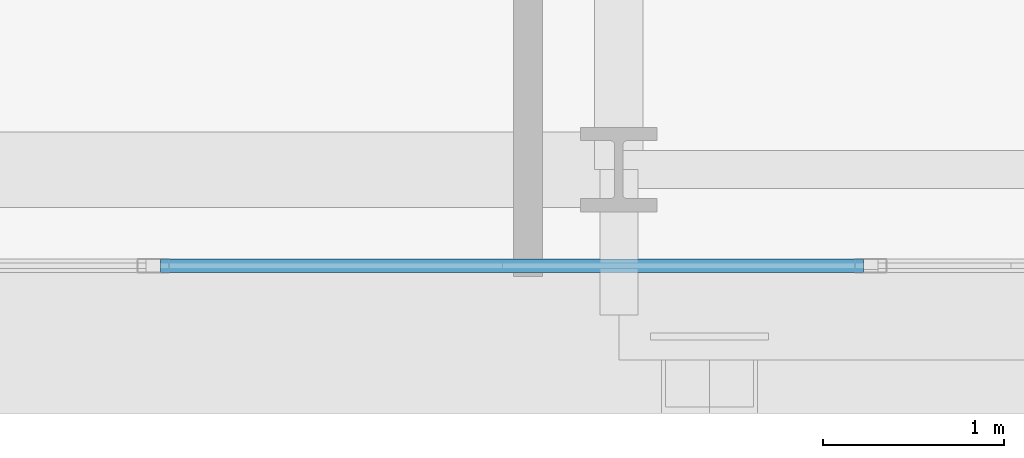
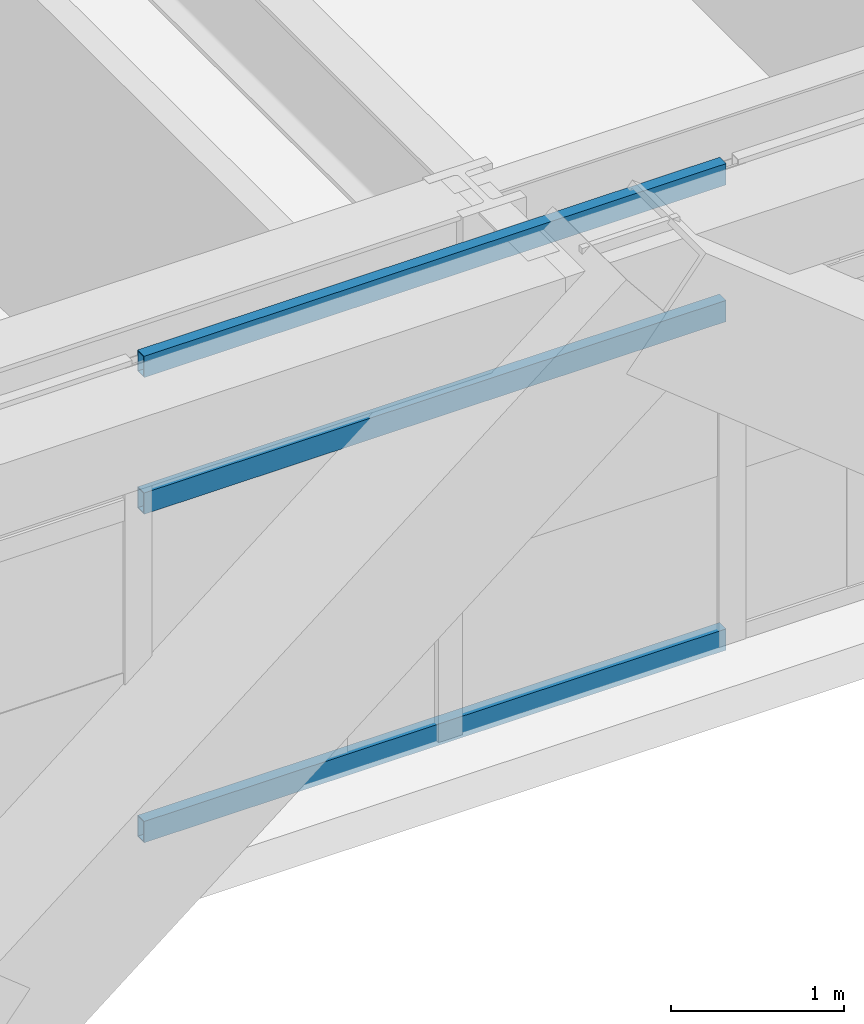
# One storey, part 6 of 41: 3 members, 1 element without a shape of its own.
"""IFC4 building model written with IfcOpenShell, lengths in metres."""

from ifc_helpers import new_model, si_unit, direction, frame, origin, origin_2d, place, context, subcontext, project, spatial, hollow_rectangle, extrude, source, transform, mapped, material, layer, layer_set, material_profile, profile_set, type_object, element, aggregate, save


model = new_model("IFC4")

# Units and contexts
model_context = context("Model", 3, precision=1e-05, world=origin(), true_north=direction((0.0, 1.0)))
body_context = subcontext(model_context, "Body", "Model", "MODEL_VIEW")
ifc_project = project(units=[si_unit("LENGTHUNIT", "METRE"), si_unit("AREAUNIT", "SQUARE_METRE"), si_unit("VOLUMEUNIT", "CUBIC_METRE"), si_unit("PLANEANGLEUNIT", "RADIAN"), si_unit("MASSUNIT", "GRAM", prefix="KILO")], contexts=[model_context])

# Site, building, storey
site_placement = place(None, origin())
site = spatial("IfcSite", under=ifc_project, at=site_placement, CompositionType="ELEMENT")
building_placement = place(site_placement, origin())
building = spatial("IfcBuilding", under=site, at=building_placement, Name="Ocotamira Hotel", CompositionType="ELEMENT")
storey_placement = place(building_placement, frame((0.0, 0.0, 67.199951171875)))
storey = spatial("IfcBuildingStorey", under=building, at=storey_placement, Name="L16", CompositionType="ELEMENT", Elevation=67.199951171875)

# Curtain wall, members
ifc_material_1 = material(Name="Anodised pale-metal aluminium and solar glass", Category="aluminium")
ifc_layer = layer(ifc_material_1, 0.179931640625)
ifc_layer_set = layer_set([ifc_layer], Name="Anodised pale-metal aluminium and solar glass")
curtain_wall_type = type_object("IfcCurtainWallType", Name="CW-SYS2-Z1", PredefinedType="NOTDEFINED", material=ifc_layer_set)
curtain_wall_placement = place(storey_placement, origin())
curtain_wall = element("IfcCurtainWall", 1, at=curtain_wall_placement, inside=storey, type_object=curtain_wall_type, Name="L16 Curtain Wall CW-2 CW-L16-S1", PredefinedType="NOTDEFINED")
ifc_material_2 = material(Name="Anodised pale-metal aluminium 6063-T6", Category="aluminium")
ifc_material_profile = material_profile(ifc_material_2, hollow_rectangle(XDim=0.074951171875, YDim=0.14990234375, WallThickness=0.006103515625, at=origin_2d()), Name="HSS150X75X6")
ifc_profile_set = profile_set([ifc_material_profile], Name="Anodised pale-metal aluminium 6063-T6")
member_type = type_object("IfcMemberType", Name="CWT-150X75", PredefinedType="USERDEFINED", material=ifc_profile_set)
shared_shape = source(origin(), body_context, "Body", "SweptSolid", [
    extrude(hollow_rectangle(XDim=0.074951171875, YDim=0.14990234375, WallThickness=0.006103515625, at=origin_2d()), origin(), (0.0, 0.0, 1.0), 3.87548828125),
])
member_1_placement = place(storey_placement, frame((37.973388671875, 2.419921875, 0.03759765625), z_axis=(1.0, 0.0, 0.0), x_axis=(0.0, 1.0, 0.0)))
member_1 = element("IfcMember", 2, at=member_1_placement, type_object=member_type, Name="CW-2 transom 7.1", ObjectType="TRANSOM", PredefinedType="USERDEFINED", context=body_context, shape_type="MappedRepresentation", body=[
    mapped(shared_shape, transform((0.0, 0.0, 0.0), scale=1.0)),
])
member_2_placement = place(storey_placement, frame((37.973388671875, 2.419921875, 2.35009765625), z_axis=(1.0, 0.0, 0.0), x_axis=(0.0, 1.0, 0.0)))
member_2 = element("IfcMember", 3, at=member_2_placement, type_object=member_type, Name="CW-2 transom 7.2", ObjectType="TRANSOM", PredefinedType="USERDEFINED", context=body_context, shape_type="MappedRepresentation", body=[
    mapped(shared_shape, transform((0.0, 0.0, 0.0), scale=1.0)),
])
member_3_placement = place(storey_placement, frame((37.973388671875, 2.419921875, 3.3125), z_axis=(1.0, 0.0, 0.0), x_axis=(0.0, 1.0, 0.0)))
member_3 = element("IfcMember", 4, at=member_3_placement, type_object=member_type, Name="CW-2 transom 7.3", ObjectType="TRANSOM", PredefinedType="USERDEFINED", context=body_context, shape_type="MappedRepresentation", body=[
    mapped(shared_shape, transform((0.0, 0.0, 0.0), scale=1.0)),
])
aggregate(curtain_wall, [member_1, member_2, member_3])

save(model, "model.ifc")
